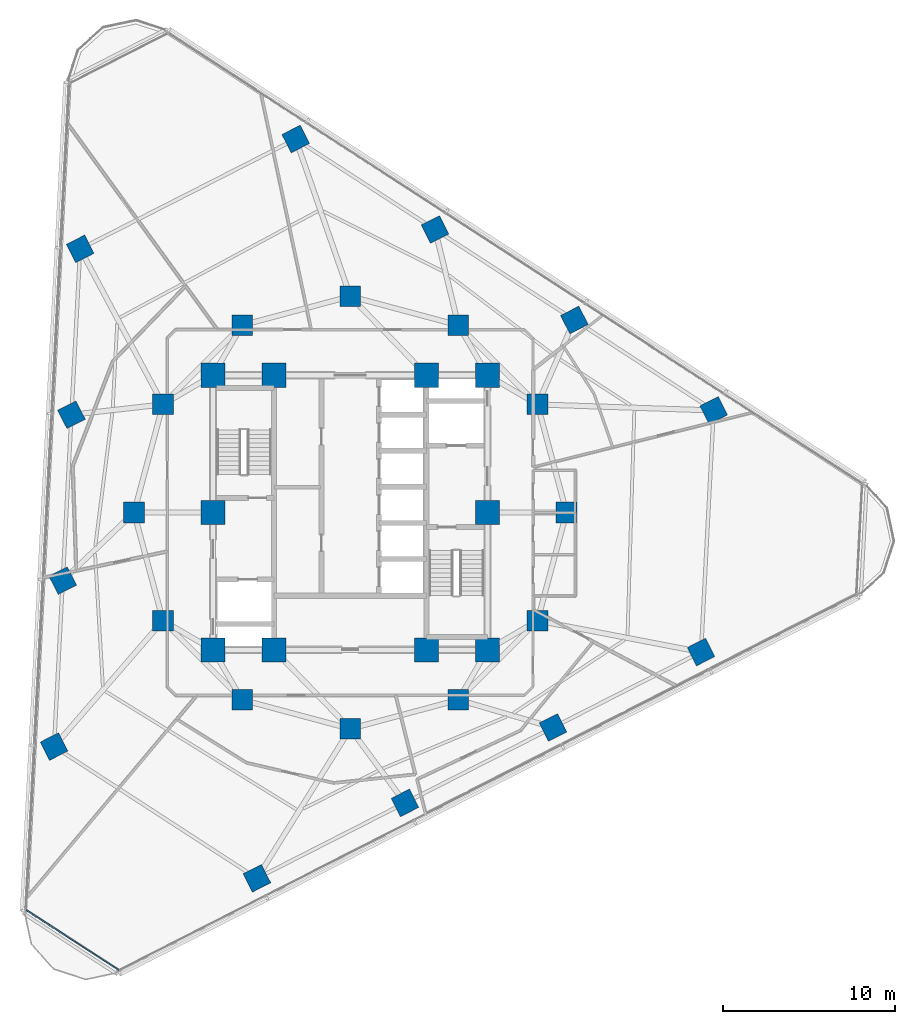
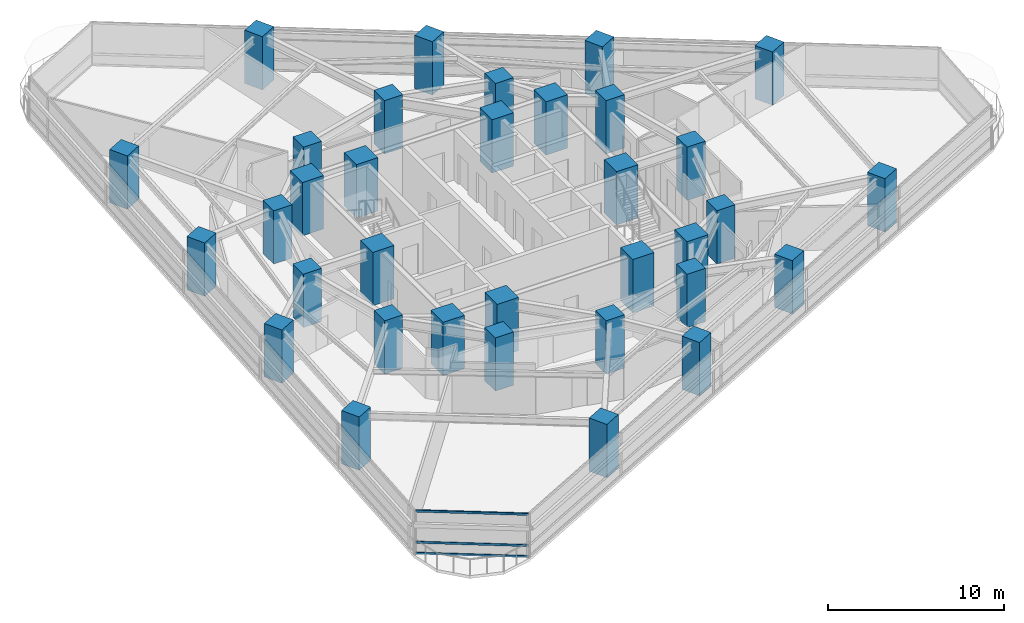
# One storey, part 1 of 14: 34 columns, 3 members, 1 element without a shape of its own.
"""IFC4 building model written with IfcOpenShell, lengths in metres."""

from ifc_helpers import new_model, si_unit, direction, frame, origin, origin_2d, place, context, subcontext, project, spatial, rectangle, extrude, material, layer, layer_set, material_profile, profile_set, type_object, element, aggregate, save


model = new_model("IFC4")

# Units and contexts
model_context = context("Model", 3, precision=1e-05, world=origin(), true_north=direction((0.0, 1.0)))
body_context = subcontext(model_context, "Body", "Model", "MODEL_VIEW")
ifc_project = project(units=[si_unit("LENGTHUNIT", "METRE"), si_unit("AREAUNIT", "SQUARE_METRE"), si_unit("VOLUMEUNIT", "CUBIC_METRE"), si_unit("PLANEANGLEUNIT", "RADIAN"), si_unit("MASSUNIT", "GRAM", prefix="KILO")], contexts=[model_context])

# Site, building, storey
site_placement = place(None, origin())
site = spatial("IfcSite", under=ifc_project, at=site_placement, CompositionType="ELEMENT")
building_placement = place(site_placement, origin())
building = spatial("IfcBuilding", under=site, at=building_placement, Name="Terralouvre Media Tower", CompositionType="ELEMENT")
storey_placement = place(building_placement, frame((0.0, 0.0, 123.60009765625)))
storey = spatial("IfcBuildingStorey", under=building, at=storey_placement, Name="L31", CompositionType="ELEMENT", Elevation=123.60009765625)

# Columns
ifc_material_1 = material(Name="Concrete C60/75", Category="concrete")
ifc_material_profile_1 = material_profile(ifc_material_1, rectangle(XDim=1.199951171875, YDim=1.199951171875, at=origin_2d()), Name="RC 1200x1200")
ifc_profile_set_1 = profile_set([ifc_material_profile_1], Name="Concrete C60/75")
column_type_1 = type_object("IfcColumnType", Name="Structural Column C-RC1200 (RC 1200x1200)", PredefinedType="COLUMN", material=ifc_profile_set_1)
for number, where, z_axis, x_axis, name in (
    (1, (12.60009765625, 0.0, 0.0), (0.0, 0.0, 1.0), (1.0, 0.0, 0.0), "L31 Mega-Frame Column MC01"),
    (2, (10.911865234375, 6.300048828125, 0.0), (0.0, 0.0, 1.0), (1.0, 0.0, 0.0), "L31 Mega-Frame Column MC02"),
    (3, (6.300048828125, 10.911865234375, 0.0), (0.0, 0.0, 1.0), (1.0, 0.0, 0.0), "L31 Mega-Frame Column MC03"),
    (4, (0.0, 12.60009765625, 0.0), (0.0, 0.0, 1.0), (1.0, 0.0, 0.0), "L31 Mega-Frame Column MC04"),
    (5, (-6.300048828125, 10.911865234375, 0.0), (0.0, 0.0, 1.0), (1.0, 0.0, 0.0), "L31 Mega-Frame Column MC05"),
    (6, (-10.911865234375, 6.300048828125, 0.0), (0.0, 0.0, 1.0), (1.0, 0.0, 0.0), "L31 Mega-Frame Column MC06"),
    (7, (-12.60009765625, 0.0, 0.0), (0.0, 0.0, 1.0), (1.0, 0.0, 0.0), "L31 Mega-Frame Column MC07"),
    (8, (-10.911865234375, -6.300048828125, 0.0), (0.0, 0.0, 1.0), (1.0, 0.0, 0.0), "L31 Mega-Frame Column MC08"),
    (9, (-6.300048828125, -10.911865234375, 0.0), (0.0, 0.0, 1.0), (1.0, 0.0, 0.0), "L31 Mega-Frame Column MC09"),
    (10, (0.0, -12.60009765625, 0.0), (0.0, 0.0, 1.0), (1.0, 0.0, 0.0), "L31 Mega-Frame Column MC10"),
    (11, (6.300048828125, -10.911865234375, 0.0), (0.0, 0.0, 1.0), (1.0, 0.0, 0.0), "L31 Mega-Frame Column MC11"),
    (12, (10.911865234375, -6.300048828125, 0.0), (0.0, 0.0, 1.0), (1.0, 0.0, 0.0), "L31 Mega-Frame Column MC12"),
    (13, (-5.4365234375, -21.31298828125, 0.0), (0.0, 0.0, 1.0), (0.891006524188, 0.45399049974, 0.0), "L31 Perimeter Mega-Column PC11"),
    (14, (3.188232421875, -16.91845703125, 0.0), (0.0, 0.0, 1.0), (0.891006524188, 0.45399049974, 0.0), "L31 Perimeter Mega-Column PC12"),
    (15, (11.813232421875, -12.523681640625, 0.0), (0.0, 0.0, 1.0), (0.891006524188, 0.45399049974, 0.0), "L31 Perimeter Mega-Column PC13"),
    (16, (20.438232421875, -8.129150390625, 0.0), (0.0, 0.0, 1.0), (0.891006524188, 0.45399049974, 0.0), "L31 Perimeter Mega-Column PC14"),
    (17, (21.176025390625, 5.9482421875, 0.0), (0.0, 0.0, 1.0), (0.891006524188, 0.45399049974, 0.0), "L31 Perimeter Mega-Column PC21"),
    (18, (13.0576171875, 11.220458984375, 0.0), (0.0, 0.0, 1.0), (0.891006524188, 0.45399049974, 0.0), "L31 Perimeter Mega-Column PC22"),
    (19, (4.939208984375, 16.492431640625, 0.0), (0.0, 0.0, 1.0), (0.891006524188, 0.45399049974, 0.0), "L31 Perimeter Mega-Column PC23"),
    (20, (-3.178955078125, 21.7646484375, 0.0), (0.0, 0.0, 1.0), (0.891006524188, 0.45399049974, 0.0), "L31 Perimeter Mega-Column PC24"),
    (21, (-15.7392578125, 15.36474609375, 0.0), (0.0, 0.0, 1.0), (0.891006524188, 0.45399049974, 0.0), "L31 Perimeter Mega-Column PC31"),
    (22, (-16.245849609375, 5.697998046875, 0.0), (0.0, 0.0, 1.0), (0.891006524188, 0.45399049974, 0.0), "L31 Perimeter Mega-Column PC32"),
    (23, (-16.75244140625, -3.96875, 0.0), (0.0, 0.0, 1.0), (0.891006524188, 0.45399049974, 0.0), "L31 Perimeter Mega-Column PC33"),
    (24, (-17.259033203125, -13.635498046875, 0.0), (0.0, 0.0, 1.0), (0.891006524188, 0.45399049974, 0.0), "L31 Perimeter Mega-Column PC34"),
):
    element("IfcColumn", number, at=place(storey_placement, frame(where, z_axis=z_axis, x_axis=x_axis)), inside=storey, type_object=column_type_1, Name=name, PredefinedType="COLUMN", context=body_context, shape_type="SweptSolid", body=[
        extrude(rectangle(XDim=1.199951171875, YDim=1.199951171875, at=origin_2d()), origin(), (0.0, 0.0, 1.0), 3.699951171875),
    ])
ifc_material_2 = material(Name="Concrete C60/75", Category="concrete")
ifc_material_profile_2 = material_profile(ifc_material_2, rectangle(XDim=1.39990234375, YDim=1.39990234375, at=origin_2d()), Name="RC 1400x1400")
ifc_profile_set_2 = profile_set([ifc_material_profile_2], Name="Concrete C60/75")
column_type_2 = type_object("IfcColumnType", Name="Structural Column C-RC1400 (RC 1400x1400)", PredefinedType="COLUMN", material=ifc_profile_set_2)
for number, where, z_axis, x_axis, name in (
    (25, (-8.0, -8.0, 0.0), (0.0, 0.0, 1.0), (1.0, 0.0, 0.0), "L31 Core Pilaster Column CP1"),
    (26, (-4.449951171875, -8.0, 0.0), (0.0, 0.0, 1.0), (1.0, 0.0, 0.0), "L31 Core Pilaster Column CP2"),
    (27, (4.449951171875, -8.0, 0.0), (0.0, 0.0, 1.0), (1.0, 0.0, 0.0), "L31 Core Pilaster Column CP10"),
    (28, (8.0, -8.0, 0.0), (0.0, 0.0, 1.0), (1.0, 0.0, 0.0), "L31 Core Pilaster Column CP3"),
    (29, (8.0, 0.0, 0.0), (0.0, 0.0, 1.0), (1.0, 0.0, 0.0), "L31 Core Pilaster Column CP4"),
    (30, (8.0, 8.0, 0.0), (0.0, 0.0, 1.0), (1.0, 0.0, 0.0), "L31 Core Pilaster Column CP5"),
    (31, (4.449951171875, 8.0, 0.0), (0.0, 0.0, 1.0), (1.0, 0.0, 0.0), "L31 Core Pilaster Column CP9"),
    (32, (-4.449951171875, 8.0, 0.0), (0.0, 0.0, 1.0), (1.0, 0.0, 0.0), "L31 Core Pilaster Column CP6"),
    (33, (-8.0, 8.0, 0.0), (0.0, 0.0, 1.0), (1.0, 0.0, 0.0), "L31 Core Pilaster Column CP7"),
    (34, (-8.0, 0.0, 0.0), (0.0, 0.0, 1.0), (1.0, 0.0, 0.0), "L31 Core Pilaster Column CP8"),
):
    element("IfcColumn", number, at=place(storey_placement, frame(where, z_axis=z_axis, x_axis=x_axis)), inside=storey, type_object=column_type_2, Name=name, PredefinedType="COLUMN", context=body_context, shape_type="SweptSolid", body=[
        extrude(rectangle(XDim=1.39990234375, YDim=1.39990234375, at=origin_2d()), origin(), (0.0, 0.0, 1.0), 3.699951171875),
    ])

# Curtain wall, members
ifc_material_3 = material(Name="Low-iron laminated double glazing with solar-control coating", Category="glass")
ifc_layer = layer(ifc_material_3, 0.1650390625, Name="Rounded Wind-Corner Curved Glazing CW-04")
ifc_layer_set = layer_set([ifc_layer], Name="Low-iron laminated double glazing with solar-control coating")
curtain_wall_type = type_object("IfcCurtainWallType", Name="Rounded Wind-Corner Curved Glazing CW-04", PredefinedType="NOTDEFINED", material=ifc_layer_set)
curtain_wall_placement = place(storey_placement, origin())
curtain_wall = element("IfcCurtainWall", 35, at=curtain_wall_placement, inside=storey, type_object=curtain_wall_type, Name="L31 Rounded Wind-Corner Curtain Wall C0", PredefinedType="NOTDEFINED")
ifc_material_4 = material(Name="Anodised extruded aluminium 6063-T6", Category="aluminium")
ifc_material_profile_3 = material_profile(ifc_material_4, rectangle(XDim=0.074951171875, YDim=0.14990234375, at=origin_2d()), Name="ALU 75x150")
ifc_profile_set_3 = profile_set([ifc_material_profile_3], Name="Anodised extruded aluminium 6063-T6")
member_type = type_object("IfcMemberType", Name="Curtain-Wall Horizontal Transom TR-150", PredefinedType="USERDEFINED", material=ifc_profile_set_3)
member_1_placement = place(storey_placement, frame((-18.875, -23.16015625, 0.037353515625), z_axis=(0.838682024338, -0.544621393311, 0.0), x_axis=(0.544621393311, 0.838682024338, 0.0)))
member_1 = element("IfcMember", 36, at=member_1_placement, type_object=member_type, Name="CW-04 transom 1.1", ObjectType="TRANSOM", PredefinedType="USERDEFINED", context=body_context, shape_type="SweptSolid", body=[
    extrude(rectangle(XDim=0.074951171875, YDim=0.14990234375, at=origin_2d()), origin(), (0.0, 0.0, 1.0), 6.431884765625),
])
member_2_placement = place(storey_placement, frame((-18.875, -23.16015625, 0.7998046875), z_axis=(0.838682024338, -0.544621393311, 0.0), x_axis=(0.544621393311, 0.838682024338, 0.0)))
member_2 = element("IfcMember", 37, at=member_2_placement, type_object=member_type, Name="CW-04 transom 1.2", ObjectType="TRANSOM", PredefinedType="USERDEFINED", context=body_context, shape_type="SweptSolid", body=[
    extrude(rectangle(XDim=0.074951171875, YDim=0.14990234375, at=origin_2d()), origin(), (0.0, 0.0, 1.0), 6.431884765625),
])
member_3_placement = place(storey_placement, frame((-18.875, -23.16015625, 2.96240234375), z_axis=(0.838682024338, -0.544621393311, 0.0), x_axis=(0.544621393311, 0.838682024338, 0.0)))
member_3 = element("IfcMember", 38, at=member_3_placement, type_object=member_type, Name="CW-04 transom 1.3", ObjectType="TRANSOM", PredefinedType="USERDEFINED", context=body_context, shape_type="SweptSolid", body=[
    extrude(rectangle(XDim=0.074951171875, YDim=0.14990234375, at=origin_2d()), origin(), (0.0, 0.0, 1.0), 6.431884765625),
])
aggregate(curtain_wall, [member_1, member_2, member_3])

save(model, "model.ifc")
